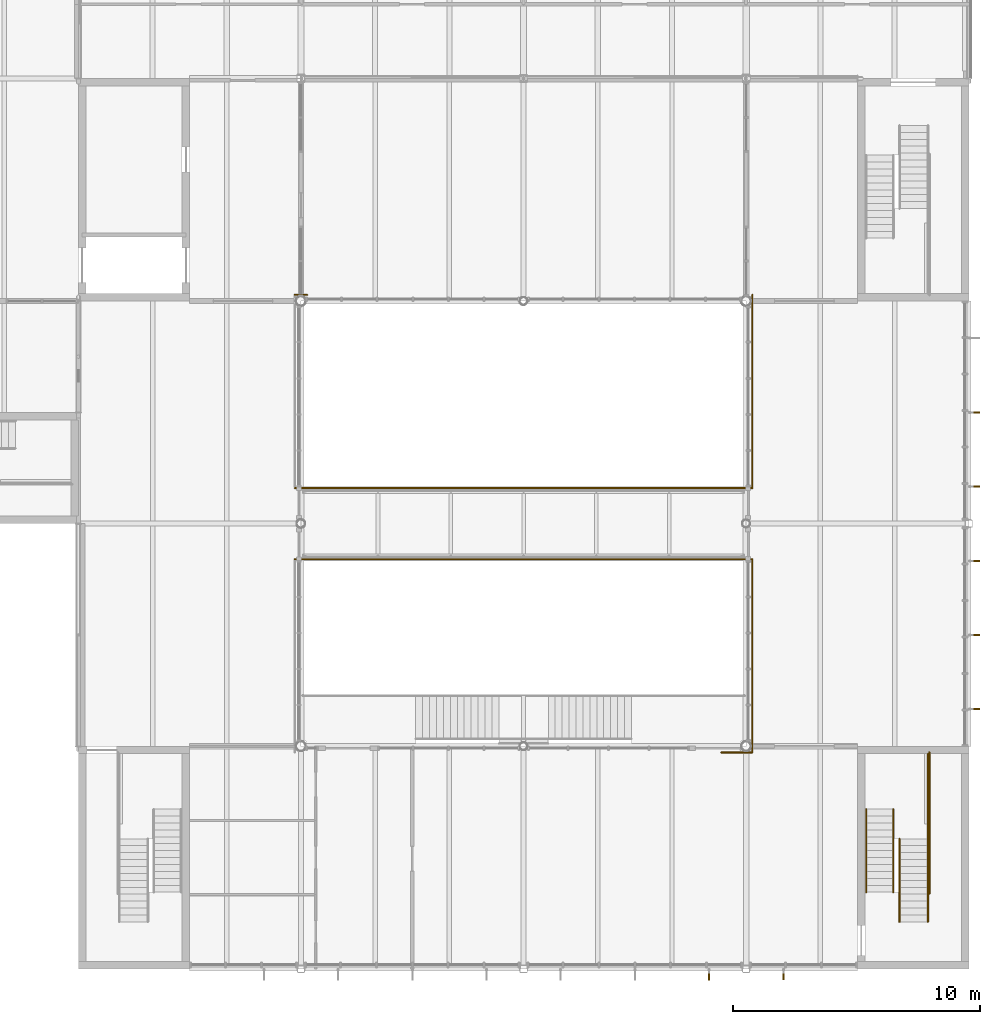
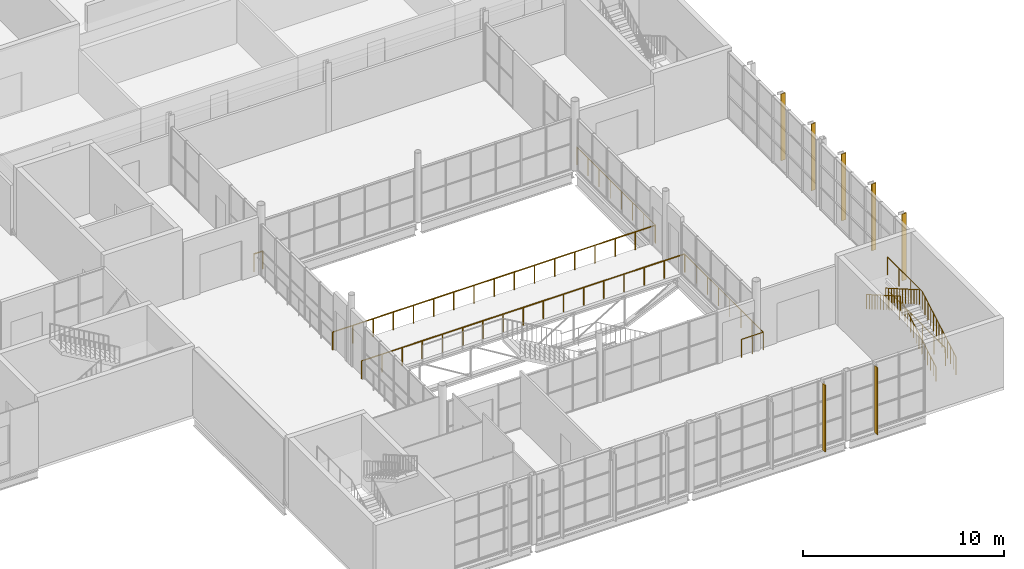
# One storey, part 58 of 61: 12 railings, 7 shading devices.
"""IFC4 building model written with IfcOpenShell, lengths in metres."""

from ifc_helpers import new_model, si_unit, direction, frame, origin, origin_2d, place, context, subcontext, project, spatial, rectangle, circle, extrude, material, type_object, element, save


model = new_model("IFC4")

# Units and contexts
model_context = context("Model", 3, precision=1e-05, world=origin(), true_north=direction((0.0, 1.0)))
body_context = subcontext(model_context, "Body", "Model", "MODEL_VIEW")
ifc_project = project(units=[si_unit("LENGTHUNIT", "METRE"), si_unit("AREAUNIT", "SQUARE_METRE"), si_unit("VOLUMEUNIT", "CUBIC_METRE"), si_unit("PLANEANGLEUNIT", "RADIAN"), si_unit("MASSUNIT", "GRAM", prefix="KILO")], contexts=[model_context])

# Site, building, storey
site_placement = place(None, origin())
site = spatial("IfcSite", under=ifc_project, at=site_placement, CompositionType="ELEMENT")
building_placement = place(site_placement, origin())
building = spatial("IfcBuilding", under=site, at=building_placement, Name="Halyard Row Museum", CompositionType="ELEMENT")
storey_placement = place(building_placement, frame((0.0, 0.0, 9.199951171875)))
storey = spatial("IfcBuildingStorey", under=building, at=storey_placement, Name="L02", CompositionType="ELEMENT", Elevation=9.199951171875)

# Railings
ifc_material_1 = material(Name="Steel Grade 300", Category="steel")
railing_type_1 = type_object("IfcRailingType", Name="Guard GR2 steel balustrade 1100", PredefinedType="GUARDRAIL", material=ifc_material_1)
railing_1_placement = place(storey_placement, frame((106.35009765625, 1.89990234375, 0.16162109375)))
element("IfcRailing", 1, at=railing_1_placement, inside=storey, type_object=railing_type_1, Name="Guard GR056", PredefinedType="GUARDRAIL", context=body_context, shape_type="SweptSolid", body=[
    extrude(circle(Radius=0.02392578125, at=origin_2d()), frame((0.0, 0.0, 1.076171875), z_axis=(0.0, 0.86609757561, 0.499874973892), x_axis=(-1.0, 0.0, 0.0)), (0.0, 0.0, 1.0), 0.3232421875),
    extrude(circle(Radius=0.02392578125, at=origin_2d()), frame((0.0, 0.280029296875, 1.23779296875), z_axis=(0.0, 0.866424426198, 0.49930823515), x_axis=(-1.0, 0.0, 0.0)), (0.0, 0.0, 1.0), 0.3232421875),
    extrude(circle(Radius=0.02392578125, at=origin_2d()), frame((0.0, 0.56005859375, 1.39892578125), z_axis=(0.0, 0.86609757561, 0.499874973892), x_axis=(-1.0, 0.0, 0.0)), (0.0, 0.0, 1.0), 0.3232421875),
    extrude(circle(Radius=0.02392578125, at=origin_2d()), frame((0.0, 0.840087890625, 1.560546875), z_axis=(0.0, 0.86609757561, 0.499874973892), x_axis=(-1.0, 0.0, 0.0)), (0.0, 0.0, 1.0), 0.3232421875),
    extrude(circle(Radius=0.02392578125, at=origin_2d()), frame((0.0, 1.1201171875, 1.72216796875), z_axis=(0.0, 0.866424426198, 0.49930823515), x_axis=(-1.0, 0.0, 0.0)), (0.0, 0.0, 1.0), 0.3232421875),
    extrude(circle(Radius=0.02392578125, at=origin_2d()), frame((0.0, 1.400146484375, 1.8837890625), z_axis=(0.0, 0.86609757561, 0.499874973892), x_axis=(-1.0, 0.0, 0.0)), (0.0, 0.0, 1.0), 0.3232421875),
    extrude(circle(Radius=0.02392578125, at=origin_2d()), frame((0.0, 1.68017578125, 2.04541015625), z_axis=(0.0, 0.866424426198, 0.49930823515), x_axis=(-1.0, 0.0, 0.0)), (0.0, 0.0, 1.0), 0.3232421875),
    extrude(circle(Radius=0.02392578125, at=origin_2d()), frame((0.0, 1.960205078125, 2.20654296875), z_axis=(0.0, 0.865908710228, 0.500202064721), x_axis=(-1.0, 0.0, 0.0)), (0.0, 0.0, 1.0), 0.322998046875),
    extrude(circle(Radius=0.02392578125, at=origin_2d()), frame((0.0, 2.239990234375, 2.3681640625), z_axis=(0.0, 0.86609757561, 0.499874973892), x_axis=(-1.0, 0.0, 0.0)), (0.0, 0.0, 1.0), 0.3232421875),
    extrude(circle(Radius=0.02392578125, at=origin_2d()), frame((0.0, 2.52001953125, 2.52978515625), z_axis=(0.0, 0.866424426198, 0.49930823515), x_axis=(-1.0, 0.0, 0.0)), (0.0, 0.0, 1.0), 0.3232421875),
    extrude(circle(Radius=0.02392578125, at=origin_2d()), frame((0.0, 2.800048828125, 2.69140625), z_axis=(0.0, 0.86609757561, 0.499874973892), x_axis=(-1.0, 0.0, 0.0)), (0.0, 0.0, 1.0), 0.3232421875),
    extrude(circle(Radius=0.02392578125, at=origin_2d()), frame((0.0, 3.080078125, 2.85302734375), z_axis=(0.0, 0.86609757561, 0.499874973892), x_axis=(-1.0, 0.0, 0.0)), (0.0, 0.0, 1.0), 0.3232421875),
    extrude(circle(Radius=0.02099609375, at=origin_2d()), origin(), (0.0, 0.0, 1.0), 1.052001953125),
    extrude(circle(Radius=0.02099609375, at=origin_2d()), frame((0.0, 0.280029296875, 0.16162109375)), (0.0, 0.0, 1.0), 1.052001953125),
    extrude(circle(Radius=0.02099609375, at=origin_2d()), frame((0.0, 0.56005859375, 0.322998046875)), (0.0, 0.0, 1.0), 1.052001953125),
    extrude(circle(Radius=0.02099609375, at=origin_2d()), frame((0.0, 0.840087890625, 0.484619140625)), (0.0, 0.0, 1.0), 1.052001953125),
    extrude(circle(Radius=0.02099609375, at=origin_2d()), frame((0.0, 1.1201171875, 0.646240234375)), (0.0, 0.0, 1.0), 1.052001953125),
    extrude(circle(Radius=0.02099609375, at=origin_2d()), frame((0.0, 1.400146484375, 0.8076171875)), (0.0, 0.0, 1.0), 1.052001953125),
    extrude(circle(Radius=0.02099609375, at=origin_2d()), frame((0.0, 1.68017578125, 0.96923828125)), (0.0, 0.0, 1.0), 1.052001953125),
    extrude(circle(Radius=0.02099609375, at=origin_2d()), frame((0.0, 1.960205078125, 1.130615234375)), (0.0, 0.0, 1.0), 1.052001953125),
    extrude(circle(Radius=0.02099609375, at=origin_2d()), frame((0.0, 2.239990234375, 1.292236328125)), (0.0, 0.0, 1.0), 1.052001953125),
    extrude(circle(Radius=0.02099609375, at=origin_2d()), frame((0.0, 2.52001953125, 1.453857421875)), (0.0, 0.0, 1.0), 1.052001953125),
    extrude(circle(Radius=0.02099609375, at=origin_2d()), frame((0.0, 2.800048828125, 1.615234375)), (0.0, 0.0, 1.0), 1.052001953125),
    extrude(circle(Radius=0.02099609375, at=origin_2d()), frame((0.0, 3.080078125, 1.77685546875)), (0.0, 0.0, 1.0), 1.052001953125),
    extrude(circle(Radius=0.02099609375, at=origin_2d()), frame((0.0, 3.360107421875, 1.9384765625)), (0.0, 0.0, 1.0), 1.052001953125),
])
railing_2_placement = place(storey_placement, frame((106.35009765625, 5.260009765625, 2.10009765625)))
element("IfcRailing", 2, at=railing_2_placement, inside=storey, type_object=railing_type_1, Name="Guard GR057", PredefinedType="GUARDRAIL", context=body_context, shape_type="SweptSolid", body=[
    extrude(circle(Radius=0.02392578125, at=origin_2d()), frame((0.0, 0.0, 1.076171875), z_axis=(0.0, 1.0, 0.0), x_axis=(-1.0, 0.0, 0.0)), (0.0, 0.0, 1.0), 3.43994140625),
    extrude(circle(Radius=0.02099609375, at=origin_2d()), origin(), (0.0, 0.0, 1.0), 1.052001953125),
    extrude(circle(Radius=0.02099609375, at=origin_2d()), frame((0.0, 1.146728515625, 0.0)), (0.0, 0.0, 1.0), 1.052001953125),
    extrude(circle(Radius=0.02099609375, at=origin_2d()), frame((0.0, 2.293212890625, 0.0)), (0.0, 0.0, 1.0), 1.052001953125),
    extrude(circle(Radius=0.02099609375, at=origin_2d()), frame((0.0, 3.43994140625, 0.0)), (0.0, 0.0, 1.0), 1.052001953125),
])
railing_3_placement = place(storey_placement, frame((106.409912109375, 8.760009765625, 0.0)))
element("IfcRailing", 3, at=railing_3_placement, inside=storey, type_object=railing_type_1, Name="Guard GR162", PredefinedType="GUARDRAIL", context=body_context, shape_type="SweptSolid", body=[
    extrude(circle(Radius=0.02392578125, at=origin_2d()), frame((0.0, 0.0, 1.076171875), z_axis=(0.0, -1.0, 0.0), x_axis=(1.0, 0.0, 0.0)), (0.0, 0.0, 1.0), 5.719970703125),
    extrude(circle(Radius=0.02099609375, at=origin_2d()), origin(), (0.0, 0.0, 1.0), 1.052001953125),
    extrude(circle(Radius=0.02099609375, at=origin_2d()), frame((0.0, -1.14404296875, 0.0)), (0.0, 0.0, 1.0), 1.052001953125),
    extrude(circle(Radius=0.02099609375, at=origin_2d()), frame((0.0, -2.2880859375, 0.0)), (0.0, 0.0, 1.0), 1.052001953125),
    extrude(circle(Radius=0.02099609375, at=origin_2d()), frame((0.0, -3.431884765625, 0.0)), (0.0, 0.0, 1.0), 1.052001953125),
    extrude(circle(Radius=0.02099609375, at=origin_2d()), frame((0.0, -4.575927734375, 0.0)), (0.0, 0.0, 1.0), 1.052001953125),
    extrude(circle(Radius=0.02099609375, at=origin_2d()), frame((0.0, -5.719970703125, 0.0)), (0.0, 0.0, 1.0), 1.052001953125),
])
railing_4_placement = place(storey_placement, frame((98.0, 8.75, 0.0)))
element("IfcRailing", 4, at=railing_4_placement, inside=storey, type_object=railing_type_1, Name="Guard GR202", PredefinedType="GUARDRAIL", context=body_context, shape_type="SweptSolid", body=[
    extrude(circle(Radius=0.02392578125, at=origin_2d()), frame((0.0, 0.0, 1.076171875), z_axis=(1.0, 0.0, 0.0), x_axis=(0.0, 1.0, 0.0)), (0.0, 0.0, 1.0), 1.25),
    extrude(circle(Radius=0.02099609375, at=origin_2d()), origin(), (0.0, 0.0, 1.0), 1.052001953125),
    extrude(circle(Radius=0.02099609375, at=origin_2d()), frame((0.625, 0.0, 0.0)), (0.0, 0.0, 1.0), 1.052001953125),
    extrude(circle(Radius=0.02099609375, at=origin_2d()), frame((1.25, 0.0, 0.0)), (0.0, 0.0, 1.0), 1.052001953125),
])
for number, where, name in (
    (5, (99.25, 8.75, 0.0), "Guard GR203"),
    (6, (99.25, 19.5, 0.0), "Guard GR204"),
):
    element("IfcRailing", number, at=place(storey_placement, frame(where)), inside=storey, type_object=railing_type_1, Name=name, PredefinedType="GUARDRAIL", context=body_context, shape_type="SweptSolid", body=[
        extrude(circle(Radius=0.02392578125, at=origin_2d()), frame((0.0, 0.0, 1.076171875), z_axis=(0.0, 1.0, 0.0), x_axis=(-1.0, 0.0, 0.0)), (0.0, 0.0, 1.0), 7.75),
        extrude(circle(Radius=0.02099609375, at=origin_2d()), origin(), (0.0, 0.0, 1.0), 1.052001953125),
        extrude(circle(Radius=0.02099609375, at=origin_2d()), frame((0.0, 1.107177734375, 0.0)), (0.0, 0.0, 1.0), 1.052001953125),
        extrude(circle(Radius=0.02099609375, at=origin_2d()), frame((0.0, 2.21435546875, 0.0)), (0.0, 0.0, 1.0), 1.052001953125),
        extrude(circle(Radius=0.02099609375, at=origin_2d()), frame((0.0, 3.321533203125, 0.0)), (0.0, 0.0, 1.0), 1.052001953125),
        extrude(circle(Radius=0.02099609375, at=origin_2d()), frame((0.0, 4.428466796875, 0.0)), (0.0, 0.0, 1.0), 1.052001953125),
        extrude(circle(Radius=0.02099609375, at=origin_2d()), frame((0.0, 5.53564453125, 0.0)), (0.0, 0.0, 1.0), 1.052001953125),
        extrude(circle(Radius=0.02099609375, at=origin_2d()), frame((0.0, 6.642822265625, 0.0)), (0.0, 0.0, 1.0), 1.052001953125),
        extrude(circle(Radius=0.02099609375, at=origin_2d()), frame((0.0, 7.75, 0.0)), (0.0, 0.0, 1.0), 1.052001953125),
    ])
railing_5_placement = place(storey_placement, frame((80.75, 27.25, 0.0)))
element("IfcRailing", 7, at=railing_5_placement, inside=storey, type_object=railing_type_1, Name="Guard GR205", PredefinedType="GUARDRAIL", context=body_context, shape_type="SweptSolid", body=[
    extrude(circle(Radius=0.02392578125, at=origin_2d()), frame((0.0, 0.0, 1.076171875), z_axis=(1.0, 0.0, 0.0), x_axis=(0.0, 1.0, 0.0)), (0.0, 0.0, 1.0), 0.5),
    extrude(circle(Radius=0.02099609375, at=origin_2d()), origin(), (0.0, 0.0, 1.0), 1.052001953125),
    extrude(circle(Radius=0.02099609375, at=origin_2d()), frame((0.5, 0.0, 0.0)), (0.0, 0.0, 1.0), 1.052001953125),
])
railing_6_placement = place(storey_placement, frame((80.75, 16.56005859375, 0.0)))
element("IfcRailing", 8, at=railing_6_placement, inside=storey, type_object=railing_type_1, Name="Guard GR216", PredefinedType="GUARDRAIL", context=body_context, shape_type="SweptSolid", body=[
    extrude(circle(Radius=0.02392578125, at=origin_2d()), frame((0.0, 0.0, 1.076171875), z_axis=(1.0, 0.0, 0.0), x_axis=(0.0, 1.0, 0.0)), (0.0, 0.0, 1.0), 18.5),
    extrude(circle(Radius=0.02099609375, at=origin_2d()), origin(), (0.0, 0.0, 1.0), 1.052001953125),
    extrude(circle(Radius=0.02099609375, at=origin_2d()), frame((1.15625, 0.0, 0.0)), (0.0, 0.0, 1.0), 1.052001953125),
    extrude(circle(Radius=0.02099609375, at=origin_2d()), frame((2.3125, 0.0, 0.0)), (0.0, 0.0, 1.0), 1.052001953125),
    extrude(circle(Radius=0.02099609375, at=origin_2d()), frame((3.46875, 0.0, 0.0)), (0.0, 0.0, 1.0), 1.052001953125),
    extrude(circle(Radius=0.02099609375, at=origin_2d()), frame((4.625, 0.0, 0.0)), (0.0, 0.0, 1.0), 1.052001953125),
    extrude(circle(Radius=0.02099609375, at=origin_2d()), frame((5.78125, 0.0, 0.0)), (0.0, 0.0, 1.0), 1.052001953125),
    extrude(circle(Radius=0.02099609375, at=origin_2d()), frame((6.9375, 0.0, 0.0)), (0.0, 0.0, 1.0), 1.052001953125),
    extrude(circle(Radius=0.02099609375, at=origin_2d()), frame((8.09375, 0.0, 0.0)), (0.0, 0.0, 1.0), 1.052001953125),
    extrude(circle(Radius=0.02099609375, at=origin_2d()), frame((9.25, 0.0, 0.0)), (0.0, 0.0, 1.0), 1.052001953125),
    extrude(circle(Radius=0.02099609375, at=origin_2d()), frame((10.40625, 0.0, 0.0)), (0.0, 0.0, 1.0), 1.052001953125),
    extrude(circle(Radius=0.02099609375, at=origin_2d()), frame((11.5625, 0.0, 0.0)), (0.0, 0.0, 1.0), 1.052001953125),
    extrude(circle(Radius=0.02099609375, at=origin_2d()), frame((12.71875, 0.0, 0.0)), (0.0, 0.0, 1.0), 1.052001953125),
    extrude(circle(Radius=0.02099609375, at=origin_2d()), frame((13.875, 0.0, 0.0)), (0.0, 0.0, 1.0), 1.052001953125),
    extrude(circle(Radius=0.02099609375, at=origin_2d()), frame((15.03125, 0.0, 0.0)), (0.0, 0.0, 1.0), 1.052001953125),
    extrude(circle(Radius=0.02099609375, at=origin_2d()), frame((16.1875, 0.0, 0.0)), (0.0, 0.0, 1.0), 1.052001953125),
    extrude(circle(Radius=0.02099609375, at=origin_2d()), frame((17.34375, 0.0, 0.0)), (0.0, 0.0, 1.0), 1.052001953125),
    extrude(circle(Radius=0.02099609375, at=origin_2d()), frame((18.5, 0.0, 0.0)), (0.0, 0.0, 1.0), 1.052001953125),
])
railing_7_placement = place(storey_placement, frame((80.75, 19.43994140625, 0.0)))
element("IfcRailing", 9, at=railing_7_placement, inside=storey, type_object=railing_type_1, Name="Guard GR217", PredefinedType="GUARDRAIL", context=body_context, shape_type="SweptSolid", body=[
    extrude(circle(Radius=0.02392578125, at=origin_2d()), frame((0.0, 0.0, 1.076171875), z_axis=(1.0, 0.0, 0.0), x_axis=(0.0, 1.0, 0.0)), (0.0, 0.0, 1.0), 18.5),
    extrude(circle(Radius=0.02099609375, at=origin_2d()), origin(), (0.0, 0.0, 1.0), 1.052001953125),
    extrude(circle(Radius=0.02099609375, at=origin_2d()), frame((1.15625, 0.0, 0.0)), (0.0, 0.0, 1.0), 1.052001953125),
    extrude(circle(Radius=0.02099609375, at=origin_2d()), frame((2.3125, 0.0, 0.0)), (0.0, 0.0, 1.0), 1.052001953125),
    extrude(circle(Radius=0.02099609375, at=origin_2d()), frame((3.46875, 0.0, 0.0)), (0.0, 0.0, 1.0), 1.052001953125),
    extrude(circle(Radius=0.02099609375, at=origin_2d()), frame((4.625, 0.0, 0.0)), (0.0, 0.0, 1.0), 1.052001953125),
    extrude(circle(Radius=0.02099609375, at=origin_2d()), frame((5.78125, 0.0, 0.0)), (0.0, 0.0, 1.0), 1.052001953125),
    extrude(circle(Radius=0.02099609375, at=origin_2d()), frame((6.9375, 0.0, 0.0)), (0.0, 0.0, 1.0), 1.052001953125),
    extrude(circle(Radius=0.02099609375, at=origin_2d()), frame((8.09375, 0.0, 0.0)), (0.0, 0.0, 1.0), 1.052001953125),
    extrude(circle(Radius=0.02099609375, at=origin_2d()), frame((9.25, 0.0, 0.0)), (0.0, 0.0, 1.0), 1.052001953125),
    extrude(circle(Radius=0.02099609375, at=origin_2d()), frame((10.40625, 0.0, 0.0)), (0.0, 0.0, 1.0), 1.052001953125),
    extrude(circle(Radius=0.02099609375, at=origin_2d()), frame((11.5625, 0.0, 0.0)), (0.0, 0.0, 1.0), 1.052001953125),
    extrude(circle(Radius=0.02099609375, at=origin_2d()), frame((12.71875, 0.0, 0.0)), (0.0, 0.0, 1.0), 1.052001953125),
    extrude(circle(Radius=0.02099609375, at=origin_2d()), frame((13.875, 0.0, 0.0)), (0.0, 0.0, 1.0), 1.052001953125),
    extrude(circle(Radius=0.02099609375, at=origin_2d()), frame((15.03125, 0.0, 0.0)), (0.0, 0.0, 1.0), 1.052001953125),
    extrude(circle(Radius=0.02099609375, at=origin_2d()), frame((16.1875, 0.0, 0.0)), (0.0, 0.0, 1.0), 1.052001953125),
    extrude(circle(Radius=0.02099609375, at=origin_2d()), frame((17.34375, 0.0, 0.0)), (0.0, 0.0, 1.0), 1.052001953125),
    extrude(circle(Radius=0.02099609375, at=origin_2d()), frame((18.5, 0.0, 0.0)), (0.0, 0.0, 1.0), 1.052001953125),
])
ifc_material_2 = material(Name="Steel Grade 300", Category="steel")
railing_type_2 = type_object("IfcRailingType", Name="Handrail HR2 steel 900", PredefinedType="HANDRAIL", material=ifc_material_2)
railing_8_placement = place(storey_placement, frame((105.199951171875, 1.89990234375, 0.16162109375)))
element("IfcRailing", 10, at=railing_8_placement, inside=storey, type_object=railing_type_2, Name="Handrail HR082", PredefinedType="HANDRAIL", context=body_context, shape_type="SweptSolid", body=[
    extrude(circle(Radius=0.02392578125, at=origin_2d()), frame((0.0, 0.0, 0.8759765625), z_axis=(0.0, 0.86609757561, 0.499874973892), x_axis=(-1.0, 0.0, 0.0)), (0.0, 0.0, 1.0), 0.3232421875),
    extrude(circle(Radius=0.02392578125, at=origin_2d()), frame((0.0, 0.280029296875, 1.03759765625), z_axis=(0.0, 0.866424426198, 0.49930823515), x_axis=(-1.0, 0.0, 0.0)), (0.0, 0.0, 1.0), 0.3232421875),
    extrude(circle(Radius=0.02392578125, at=origin_2d()), frame((0.0, 0.56005859375, 1.19873046875), z_axis=(0.0, 0.86609757561, 0.499874973892), x_axis=(-1.0, 0.0, 0.0)), (0.0, 0.0, 1.0), 0.3232421875),
    extrude(circle(Radius=0.02392578125, at=origin_2d()), frame((0.0, 0.840087890625, 1.3603515625), z_axis=(0.0, 0.86609757561, 0.499874973892), x_axis=(-1.0, 0.0, 0.0)), (0.0, 0.0, 1.0), 0.3232421875),
    extrude(circle(Radius=0.02392578125, at=origin_2d()), frame((0.0, 1.1201171875, 1.52197265625), z_axis=(0.0, 0.866424426198, 0.49930823515), x_axis=(-1.0, 0.0, 0.0)), (0.0, 0.0, 1.0), 0.3232421875),
    extrude(circle(Radius=0.02392578125, at=origin_2d()), frame((0.0, 1.400146484375, 1.68359375), z_axis=(0.0, 0.86609757561, 0.499874973892), x_axis=(-1.0, 0.0, 0.0)), (0.0, 0.0, 1.0), 0.3232421875),
    extrude(circle(Radius=0.02392578125, at=origin_2d()), frame((0.0, 1.68017578125, 1.84521484375), z_axis=(0.0, 0.866424426198, 0.49930823515), x_axis=(-1.0, 0.0, 0.0)), (0.0, 0.0, 1.0), 0.3232421875),
    extrude(circle(Radius=0.02392578125, at=origin_2d()), frame((0.0, 1.960205078125, 2.00634765625), z_axis=(0.0, 0.865908710228, 0.500202064721), x_axis=(-1.0, 0.0, 0.0)), (0.0, 0.0, 1.0), 0.322998046875),
    extrude(circle(Radius=0.02392578125, at=origin_2d()), frame((0.0, 2.239990234375, 2.16796875), z_axis=(0.0, 0.86609757561, 0.499874973892), x_axis=(-1.0, 0.0, 0.0)), (0.0, 0.0, 1.0), 0.3232421875),
    extrude(circle(Radius=0.02392578125, at=origin_2d()), frame((0.0, 2.52001953125, 2.32958984375), z_axis=(0.0, 0.866424426198, 0.49930823515), x_axis=(-1.0, 0.0, 0.0)), (0.0, 0.0, 1.0), 0.3232421875),
    extrude(circle(Radius=0.02392578125, at=origin_2d()), frame((0.0, 2.800048828125, 2.4912109375), z_axis=(0.0, 0.86609757561, 0.499874973892), x_axis=(-1.0, 0.0, 0.0)), (0.0, 0.0, 1.0), 0.3232421875),
    extrude(circle(Radius=0.02392578125, at=origin_2d()), frame((0.0, 3.080078125, 2.65283203125), z_axis=(0.0, 0.86609757561, 0.499874973892), x_axis=(-1.0, 0.0, 0.0)), (0.0, 0.0, 1.0), 0.3232421875),
    extrude(circle(Radius=0.02099609375, at=origin_2d()), origin(), (0.0, 0.0, 1.0), 0.851806640625),
    extrude(circle(Radius=0.02099609375, at=origin_2d()), frame((0.0, 0.280029296875, 0.16162109375)), (0.0, 0.0, 1.0), 0.851806640625),
    extrude(circle(Radius=0.02099609375, at=origin_2d()), frame((0.0, 0.56005859375, 0.322998046875)), (0.0, 0.0, 1.0), 0.851806640625),
    extrude(circle(Radius=0.02099609375, at=origin_2d()), frame((0.0, 0.840087890625, 0.484619140625)), (0.0, 0.0, 1.0), 0.851806640625),
    extrude(circle(Radius=0.02099609375, at=origin_2d()), frame((0.0, 1.1201171875, 0.646240234375)), (0.0, 0.0, 1.0), 0.851806640625),
    extrude(circle(Radius=0.02099609375, at=origin_2d()), frame((0.0, 1.400146484375, 0.8076171875)), (0.0, 0.0, 1.0), 0.851806640625),
    extrude(circle(Radius=0.02099609375, at=origin_2d()), frame((0.0, 1.68017578125, 0.96923828125)), (0.0, 0.0, 1.0), 0.851806640625),
    extrude(circle(Radius=0.02099609375, at=origin_2d()), frame((0.0, 1.960205078125, 1.130615234375)), (0.0, 0.0, 1.0), 0.851806640625),
    extrude(circle(Radius=0.02099609375, at=origin_2d()), frame((0.0, 2.239990234375, 1.292236328125)), (0.0, 0.0, 1.0), 0.851806640625),
    extrude(circle(Radius=0.02099609375, at=origin_2d()), frame((0.0, 2.52001953125, 1.453857421875)), (0.0, 0.0, 1.0), 0.851806640625),
    extrude(circle(Radius=0.02099609375, at=origin_2d()), frame((0.0, 2.800048828125, 1.615234375)), (0.0, 0.0, 1.0), 0.851806640625),
    extrude(circle(Radius=0.02099609375, at=origin_2d()), frame((0.0, 3.080078125, 1.77685546875)), (0.0, 0.0, 1.0), 0.851806640625),
    extrude(circle(Radius=0.02099609375, at=origin_2d()), frame((0.0, 3.360107421875, 1.9384765625)), (0.0, 0.0, 1.0), 0.851806640625),
])
railing_9_placement = place(storey_placement, frame((103.85009765625, 6.4599609375, 2.261474609375)))
element("IfcRailing", 11, at=railing_9_placement, inside=storey, type_object=railing_type_2, Name="Handrail HR083", PredefinedType="HANDRAIL", context=body_context, shape_type="SweptSolid", body=[
    extrude(circle(Radius=0.02392578125, at=origin_2d()), frame((0.0, 0.0, 0.8759765625), z_axis=(0.0, -0.86609757561, 0.499874973892), x_axis=(1.0, 0.0, 0.0)), (0.0, 0.0, 1.0), 0.3232421875),
    extrude(circle(Radius=0.02392578125, at=origin_2d()), frame((0.0, -0.280029296875, 1.03759765625), z_axis=(0.0, -0.86609757561, 0.499874973892), x_axis=(1.0, 0.0, 0.0)), (0.0, 0.0, 1.0), 0.3232421875),
    extrude(circle(Radius=0.02392578125, at=origin_2d()), frame((0.0, -0.56005859375, 1.19921875), z_axis=(0.0, -0.866235917577, 0.499635202023), x_axis=(1.0, 0.0, 0.0)), (0.0, 0.0, 1.0), 0.322998046875),
    extrude(circle(Radius=0.02392578125, at=origin_2d()), frame((0.0, -0.83984375, 1.3603515625), z_axis=(0.0, -0.86609757561, 0.499874973892), x_axis=(1.0, 0.0, 0.0)), (0.0, 0.0, 1.0), 0.3232421875),
    extrude(circle(Radius=0.02392578125, at=origin_2d()), frame((0.0, -1.119873046875, 1.52197265625), z_axis=(0.0, -0.86609757561, 0.499874973892), x_axis=(1.0, 0.0, 0.0)), (0.0, 0.0, 1.0), 0.3232421875),
    extrude(circle(Radius=0.02392578125, at=origin_2d()), frame((0.0, -1.39990234375, 1.68359375), z_axis=(0.0, -0.866424426198, 0.49930823515), x_axis=(1.0, 0.0, 0.0)), (0.0, 0.0, 1.0), 0.3232421875),
    extrude(circle(Radius=0.02392578125, at=origin_2d()), frame((0.0, -1.679931640625, 1.84521484375), z_axis=(0.0, -0.86609757561, 0.499874973892), x_axis=(1.0, 0.0, 0.0)), (0.0, 0.0, 1.0), 0.3232421875),
    extrude(circle(Radius=0.02392578125, at=origin_2d()), frame((0.0, -1.9599609375, 2.0068359375), z_axis=(0.0, -0.86609757561, 0.499874973892), x_axis=(1.0, 0.0, 0.0)), (0.0, 0.0, 1.0), 0.3232421875),
    extrude(circle(Radius=0.02392578125, at=origin_2d()), frame((0.0, -2.239990234375, 2.16845703125), z_axis=(0.0, -0.866424426198, 0.49930823515), x_axis=(1.0, 0.0, 0.0)), (0.0, 0.0, 1.0), 0.3232421875),
    extrude(circle(Radius=0.02392578125, at=origin_2d()), frame((0.0, -2.52001953125, 2.32958984375), z_axis=(0.0, -0.86609757561, 0.499874973892), x_axis=(1.0, 0.0, 0.0)), (0.0, 0.0, 1.0), 0.3232421875),
    extrude(circle(Radius=0.02392578125, at=origin_2d()), frame((0.0, -2.800048828125, 2.4912109375), z_axis=(0.0, -0.86609757561, 0.499874973892), x_axis=(1.0, 0.0, 0.0)), (0.0, 0.0, 1.0), 0.3232421875),
    extrude(circle(Radius=0.02392578125, at=origin_2d()), frame((0.0, -3.080078125, 2.65283203125), z_axis=(0.0, -0.866235917577, 0.499635202023), x_axis=(1.0, 0.0, 0.0)), (0.0, 0.0, 1.0), 0.322998046875),
    extrude(circle(Radius=0.02099609375, at=origin_2d()), origin(), (0.0, 0.0, 1.0), 0.851806640625),
    extrude(circle(Radius=0.02099609375, at=origin_2d()), frame((0.0, -0.280029296875, 0.16162109375)), (0.0, 0.0, 1.0), 0.851806640625),
    extrude(circle(Radius=0.02099609375, at=origin_2d()), frame((0.0, -0.56005859375, 0.3232421875)), (0.0, 0.0, 1.0), 0.851806640625),
    extrude(circle(Radius=0.02099609375, at=origin_2d()), frame((0.0, -0.83984375, 0.484619140625)), (0.0, 0.0, 1.0), 0.851806640625),
    extrude(circle(Radius=0.02099609375, at=origin_2d()), frame((0.0, -1.119873046875, 0.646240234375)), (0.0, 0.0, 1.0), 0.851806640625),
    extrude(circle(Radius=0.02099609375, at=origin_2d()), frame((0.0, -1.39990234375, 0.807861328125)), (0.0, 0.0, 1.0), 0.851806640625),
    extrude(circle(Radius=0.02099609375, at=origin_2d()), frame((0.0, -1.679931640625, 0.96923828125)), (0.0, 0.0, 1.0), 0.851806640625),
    extrude(circle(Radius=0.02099609375, at=origin_2d()), frame((0.0, -1.9599609375, 1.130859375)), (0.0, 0.0, 1.0), 0.851806640625),
    extrude(circle(Radius=0.02099609375, at=origin_2d()), frame((0.0, -2.239990234375, 1.29248046875)), (0.0, 0.0, 1.0), 0.851806640625),
    extrude(circle(Radius=0.02099609375, at=origin_2d()), frame((0.0, -2.52001953125, 1.453857421875)), (0.0, 0.0, 1.0), 0.851806640625),
    extrude(circle(Radius=0.02099609375, at=origin_2d()), frame((0.0, -2.800048828125, 1.615478515625)), (0.0, 0.0, 1.0), 0.851806640625),
    extrude(circle(Radius=0.02099609375, at=origin_2d()), frame((0.0, -3.080078125, 1.777099609375)), (0.0, 0.0, 1.0), 0.851806640625),
    extrude(circle(Radius=0.02099609375, at=origin_2d()), frame((0.0, -3.35986328125, 1.9384765625)), (0.0, 0.0, 1.0), 0.851806640625),
])
railing_10_placement = place(storey_placement, frame((104.949951171875, 6.4599609375, 2.261474609375)))
element("IfcRailing", 12, at=railing_10_placement, inside=storey, type_object=railing_type_2, Name="Handrail HR084", PredefinedType="HANDRAIL", context=body_context, shape_type="SweptSolid", body=[
    extrude(circle(Radius=0.02392578125, at=origin_2d()), frame((0.0, 0.0, 0.8759765625), z_axis=(0.0, -0.86609757561, 0.499874973892), x_axis=(1.0, 0.0, 0.0)), (0.0, 0.0, 1.0), 0.3232421875),
    extrude(circle(Radius=0.02392578125, at=origin_2d()), frame((0.0, -0.280029296875, 1.03759765625), z_axis=(0.0, -0.86609757561, 0.499874973892), x_axis=(1.0, 0.0, 0.0)), (0.0, 0.0, 1.0), 0.3232421875),
    extrude(circle(Radius=0.02392578125, at=origin_2d()), frame((0.0, -0.56005859375, 1.19921875), z_axis=(0.0, -0.866235917577, 0.499635202023), x_axis=(1.0, 0.0, 0.0)), (0.0, 0.0, 1.0), 0.322998046875),
    extrude(circle(Radius=0.02392578125, at=origin_2d()), frame((0.0, -0.83984375, 1.3603515625), z_axis=(0.0, -0.86609757561, 0.499874973892), x_axis=(1.0, 0.0, 0.0)), (0.0, 0.0, 1.0), 0.3232421875),
    extrude(circle(Radius=0.02392578125, at=origin_2d()), frame((0.0, -1.119873046875, 1.52197265625), z_axis=(0.0, -0.86609757561, 0.499874973892), x_axis=(1.0, 0.0, 0.0)), (0.0, 0.0, 1.0), 0.3232421875),
    extrude(circle(Radius=0.02392578125, at=origin_2d()), frame((0.0, -1.39990234375, 1.68359375), z_axis=(0.0, -0.866424426198, 0.49930823515), x_axis=(1.0, 0.0, 0.0)), (0.0, 0.0, 1.0), 0.3232421875),
    extrude(circle(Radius=0.02392578125, at=origin_2d()), frame((0.0, -1.679931640625, 1.84521484375), z_axis=(0.0, -0.86609757561, 0.499874973892), x_axis=(1.0, 0.0, 0.0)), (0.0, 0.0, 1.0), 0.3232421875),
    extrude(circle(Radius=0.02392578125, at=origin_2d()), frame((0.0, -1.9599609375, 2.0068359375), z_axis=(0.0, -0.86609757561, 0.499874973892), x_axis=(1.0, 0.0, 0.0)), (0.0, 0.0, 1.0), 0.3232421875),
    extrude(circle(Radius=0.02392578125, at=origin_2d()), frame((0.0, -2.239990234375, 2.16845703125), z_axis=(0.0, -0.866424426198, 0.49930823515), x_axis=(1.0, 0.0, 0.0)), (0.0, 0.0, 1.0), 0.3232421875),
    extrude(circle(Radius=0.02392578125, at=origin_2d()), frame((0.0, -2.52001953125, 2.32958984375), z_axis=(0.0, -0.86609757561, 0.499874973892), x_axis=(1.0, 0.0, 0.0)), (0.0, 0.0, 1.0), 0.3232421875),
    extrude(circle(Radius=0.02392578125, at=origin_2d()), frame((0.0, -2.800048828125, 2.4912109375), z_axis=(0.0, -0.86609757561, 0.499874973892), x_axis=(1.0, 0.0, 0.0)), (0.0, 0.0, 1.0), 0.3232421875),
    extrude(circle(Radius=0.02392578125, at=origin_2d()), frame((0.0, -3.080078125, 2.65283203125), z_axis=(0.0, -0.866235917577, 0.499635202023), x_axis=(1.0, 0.0, 0.0)), (0.0, 0.0, 1.0), 0.322998046875),
    extrude(circle(Radius=0.02099609375, at=origin_2d()), origin(), (0.0, 0.0, 1.0), 0.851806640625),
    extrude(circle(Radius=0.02099609375, at=origin_2d()), frame((0.0, -0.280029296875, 0.16162109375)), (0.0, 0.0, 1.0), 0.851806640625),
    extrude(circle(Radius=0.02099609375, at=origin_2d()), frame((0.0, -0.56005859375, 0.3232421875)), (0.0, 0.0, 1.0), 0.851806640625),
    extrude(circle(Radius=0.02099609375, at=origin_2d()), frame((0.0, -0.83984375, 0.484619140625)), (0.0, 0.0, 1.0), 0.851806640625),
    extrude(circle(Radius=0.02099609375, at=origin_2d()), frame((0.0, -1.119873046875, 0.646240234375)), (0.0, 0.0, 1.0), 0.851806640625),
    extrude(circle(Radius=0.02099609375, at=origin_2d()), frame((0.0, -1.39990234375, 0.807861328125)), (0.0, 0.0, 1.0), 0.851806640625),
    extrude(circle(Radius=0.02099609375, at=origin_2d()), frame((0.0, -1.679931640625, 0.96923828125)), (0.0, 0.0, 1.0), 0.851806640625),
    extrude(circle(Radius=0.02099609375, at=origin_2d()), frame((0.0, -1.9599609375, 1.130859375)), (0.0, 0.0, 1.0), 0.851806640625),
    extrude(circle(Radius=0.02099609375, at=origin_2d()), frame((0.0, -2.239990234375, 1.29248046875)), (0.0, 0.0, 1.0), 0.851806640625),
    extrude(circle(Radius=0.02099609375, at=origin_2d()), frame((0.0, -2.52001953125, 1.453857421875)), (0.0, 0.0, 1.0), 0.851806640625),
    extrude(circle(Radius=0.02099609375, at=origin_2d()), frame((0.0, -2.800048828125, 1.615478515625)), (0.0, 0.0, 1.0), 0.851806640625),
    extrude(circle(Radius=0.02099609375, at=origin_2d()), frame((0.0, -3.080078125, 1.777099609375)), (0.0, 0.0, 1.0), 0.851806640625),
    extrude(circle(Radius=0.02099609375, at=origin_2d()), frame((0.0, -3.35986328125, 1.9384765625)), (0.0, 0.0, 1.0), 0.851806640625),
])

# Shading devices
ifc_material_3 = material(Name="Glue-laminated timber GL12, oiled", Category="wood")
shading_device_type = type_object("IfcShadingDeviceType", Name="Timber fin 60 x 250", PredefinedType="USERDEFINED", material=ifc_material_3)
for number, where, z_axis, x_axis, name in (
    (13, (108.324951171875, 10.5, 0.0), (0.0, 0.0, 1.0), (1.0, 0.0, 0.0), "Timber fin"),
    (14, (108.324951171875, 13.5, 0.0), (0.0, 0.0, 1.0), (1.0, 0.0, 0.0), "Timber fin"),
    (15, (108.324951171875, 16.5, 0.0), (0.0, 0.0, 1.0), (1.0, 0.0, 0.0), "Timber fin"),
    (16, (108.324951171875, 19.5, 0.0), (0.0, 0.0, 1.0), (1.0, 0.0, 0.0), "Timber fin"),
    (17, (108.324951171875, 22.5, 0.0), (0.0, 0.0, 1.0), (1.0, 0.0, 0.0), "Timber fin"),
):
    element("IfcShadingDevice", number, at=place(storey_placement, frame(where, z_axis=z_axis, x_axis=x_axis)), inside=storey, type_object=shading_device_type, Name=name, ObjectType="FIN", PredefinedType="USERDEFINED", context=body_context, shape_type="SweptSolid", body=[
        extrude(rectangle(XDim=0.25, YDim=0.06005859375, at=origin_2d()), origin(), (0.0, 0.0, 1.0), 4.050048828125),
    ])
for number, where, z_axis, x_axis, name in (
    (18, (97.5, -0.324951171875, 0.0), (0.0, 0.0, 1.0), (1.0, 0.0, 0.0), "Timber fin"),
    (19, (100.5, -0.324951171875, 0.0), (0.0, 0.0, 1.0), (1.0, 0.0, 0.0), "Timber fin"),
):
    element("IfcShadingDevice", number, at=place(storey_placement, frame(where, z_axis=z_axis, x_axis=x_axis)), inside=storey, type_object=shading_device_type, Name=name, ObjectType="FIN", PredefinedType="USERDEFINED", context=body_context, shape_type="SweptSolid", body=[
        extrude(rectangle(XDim=0.06005859375, YDim=0.25, at=origin_2d()), origin(), (0.0, 0.0, 1.0), 4.050048828125),
    ])

save(model, "model.ifc")
